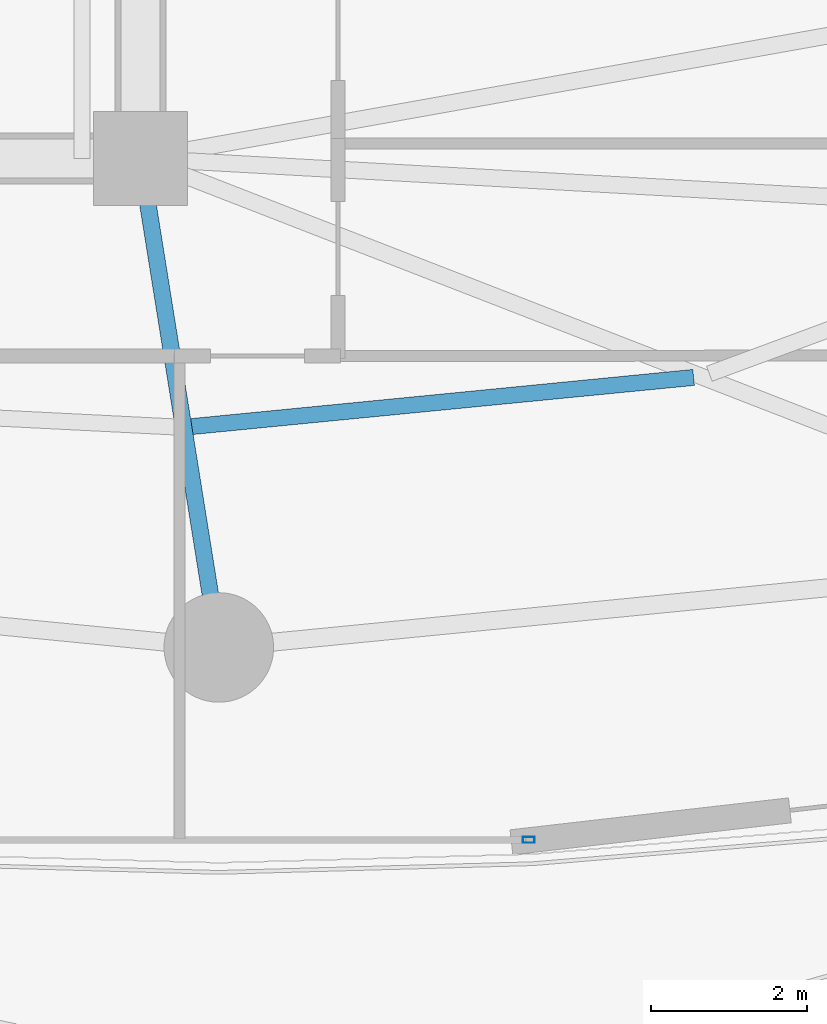
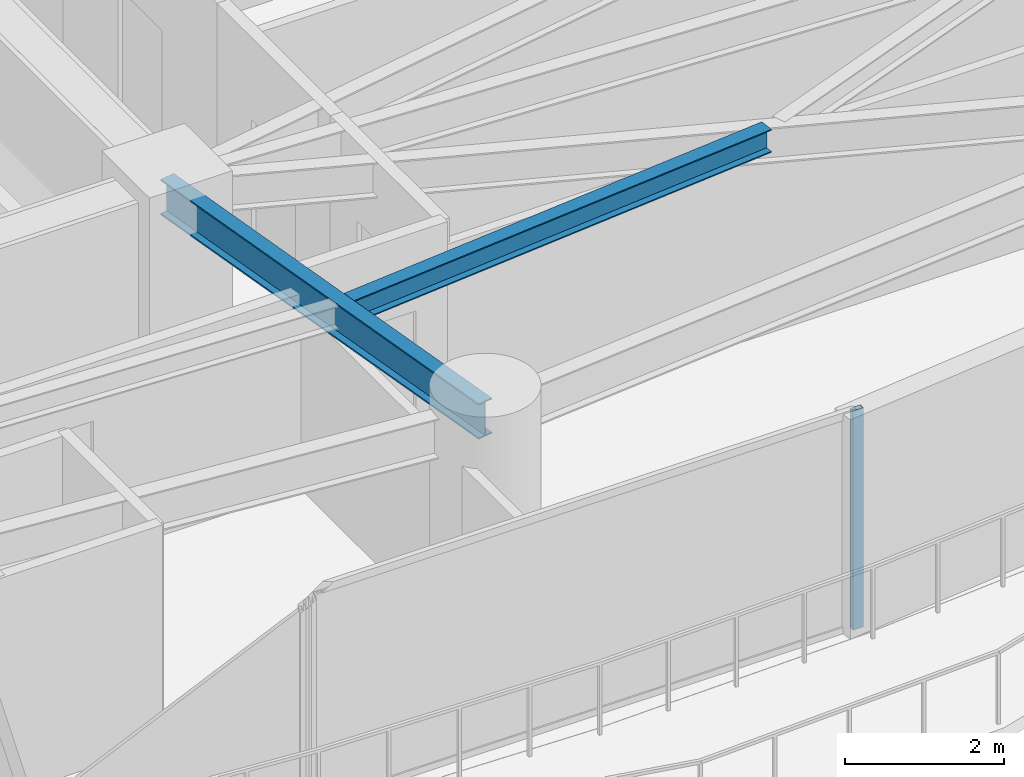
# One storey, part 10 of 32: 2 beams, 1 member, 1 element without a shape of its own.
"""IFC4 building model written with IfcOpenShell, lengths in metres."""

from ifc_helpers import new_model, si_unit, direction, frame, origin, origin_2d, place, context, subcontext, project, spatial, hollow_rectangle, i_section, extrude, material, layer, layer_set, material_profile, profile_set, type_object, element, aggregate, save


model = new_model("IFC4")

# Units and contexts
model_context = context("Model", 3, precision=1e-05, world=origin(), true_north=direction((0.0, 1.0)))
body_context = subcontext(model_context, "Body", "Model", "MODEL_VIEW")
ifc_project = project(units=[si_unit("LENGTHUNIT", "METRE"), si_unit("AREAUNIT", "SQUARE_METRE"), si_unit("VOLUMEUNIT", "CUBIC_METRE"), si_unit("PLANEANGLEUNIT", "RADIAN"), si_unit("MASSUNIT", "GRAM", prefix="KILO")], contexts=[model_context])

# Site, building, storey
site_placement = place(None, origin())
site = spatial("IfcSite", under=ifc_project, at=site_placement, CompositionType="ELEMENT")
building_placement = place(site_placement, origin())
building = spatial("IfcBuilding", under=site, at=building_placement, Name="Kazevale Care Tower and Concert Hall", CompositionType="ELEMENT")
storey_placement = place(building_placement, frame((0.0, 0.0, 34.800048828125)))
storey = spatial("IfcBuildingStorey", under=building, at=storey_placement, Name="L08", CompositionType="ELEMENT", Elevation=34.800048828125)

# Curtain wall, member
ifc_material_1 = material(Name="Aluminium 6063-T6 and Low-E Glass", Category="aluminium")
ifc_layer = layer(ifc_material_1, 0.179931640625)
ifc_layer_set = layer_set([ifc_layer], Name="Aluminium 6063-T6 and Low-E Glass")
curtain_wall_type = type_object("IfcCurtainWallType", Name="Sheltered Concave Balcony Curtain Wall CW-5", PredefinedType="NOTDEFINED", material=ifc_layer_set)
curtain_wall_placement = place(storey_placement, origin())
curtain_wall = element("IfcCurtainWall", 1, at=curtain_wall_placement, inside=storey, type_object=curtain_wall_type, Name="cw:L08:f06", PredefinedType="NOTDEFINED")
ifc_material_2 = material(Name="Aluminium 6063-T6", Category="aluminium")
ifc_material_profile_1 = material_profile(ifc_material_2, hollow_rectangle(XDim=0.074951171875, YDim=0.14990234375, WallThickness=0.00390625, at=origin_2d()), Name="ALU75x150x4")
ifc_profile_set_1 = profile_set([ifc_material_profile_1], Name="Aluminium 6063-T6")
member_type = type_object("IfcMemberType", Name="CW-5 Mullion ALU75x150x4", PredefinedType="MULLION", material=ifc_profile_set_1)
member_placement = place(storey_placement, frame((48.96044921875, 14.889892578125, 0.0), z_axis=(0.0, 0.0, 1.0), x_axis=(0.0, -1.0, 0.0)))
member = element("IfcMember", 2, at=member_placement, type_object=member_type, Name="CW-5 mullion 1", PredefinedType="MULLION", context=body_context, shape_type="SweptSolid", body=[
    extrude(hollow_rectangle(XDim=0.074951171875, YDim=0.14990234375, WallThickness=0.00390625, at=origin_2d()), origin(), (0.0, 0.0, 1.0), 3.35986328125),
])
aggregate(curtain_wall, [member])

# Beams
ifc_material_3 = material(Name="Steel ASTM A572 Gr 50", Category="steel")
ifc_material_profile_2 = material_profile(ifc_material_3, i_section(OverallWidth=0.2119140625, OverallDepth=0.5439453125, WebThickness=0.01318359375, FlangeThickness=0.021240234375, at=origin_2d()), Name="W530x123")
ifc_profile_set_2 = profile_set([ifc_material_profile_2], Name="Steel ASTM A572 Gr 50")
beam_type_1 = type_object("IfcBeamType", Name="Radial Floor Girder W530x123", PredefinedType="BEAM", material=ifc_profile_set_2)
beam_1_placement = place(storey_placement, frame((44.0, 23.60009765625, 3.087890625), z_axis=(0.157990501107, -0.987440631917, 0.0), x_axis=(0.987440631917, 0.157990501107, 0.0)))
element("IfcBeam", 3, at=beam_1_placement, inside=storey, type_object=beam_type_1, Name="beam:L08:rad:13", PredefinedType="BEAM", context=body_context, shape_type="SweptSolid", body=[
    extrude(i_section(OverallWidth=0.2119140625, OverallDepth=0.5439453125, WebThickness=0.01318359375, FlangeThickness=0.021240234375, at=origin_2d()), origin(), (0.0, 0.0, 1.0), 6.32958984375),
])
ifc_material_profile_3 = material_profile(ifc_material_3, i_section(OverallWidth=0.205078125, OverallDepth=0.35400390625, WebThickness=0.009521484375, FlangeThickness=0.016845703125, at=origin_2d()), Name="W360x79")
ifc_profile_set_3 = profile_set([ifc_material_profile_3], Name="Steel ASTM A572 Gr 50")
beam_type_2 = type_object("IfcBeamType", Name="Secondary Floor Joist W360x79", PredefinedType="JOIST", material=ifc_profile_set_3)
beam_2_placement = place(storey_placement, frame((44.654052734375, 20.173095703125, 3.182861328125), z_axis=(0.995242075791, 0.097433108212, 0.0), x_axis=(-0.097433108212, 0.995242075791, 0.0)))
element("IfcBeam", 4, at=beam_2_placement, inside=storey, type_object=beam_type_2, Name="beam:L08:joist:13", PredefinedType="JOIST", context=body_context, shape_type="SweptSolid", body=[
    extrude(i_section(OverallWidth=0.205078125, OverallDepth=0.35400390625, WebThickness=0.009521484375, FlangeThickness=0.016845703125, at=origin_2d()), origin(), (0.0, 0.0, 1.0), 6.44482421875),
])

save(model, "model.ifc")
